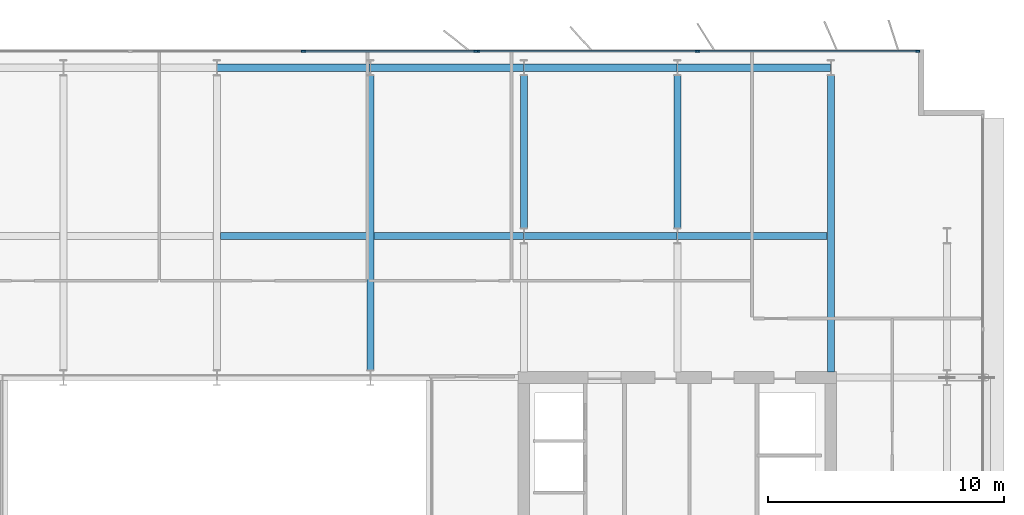
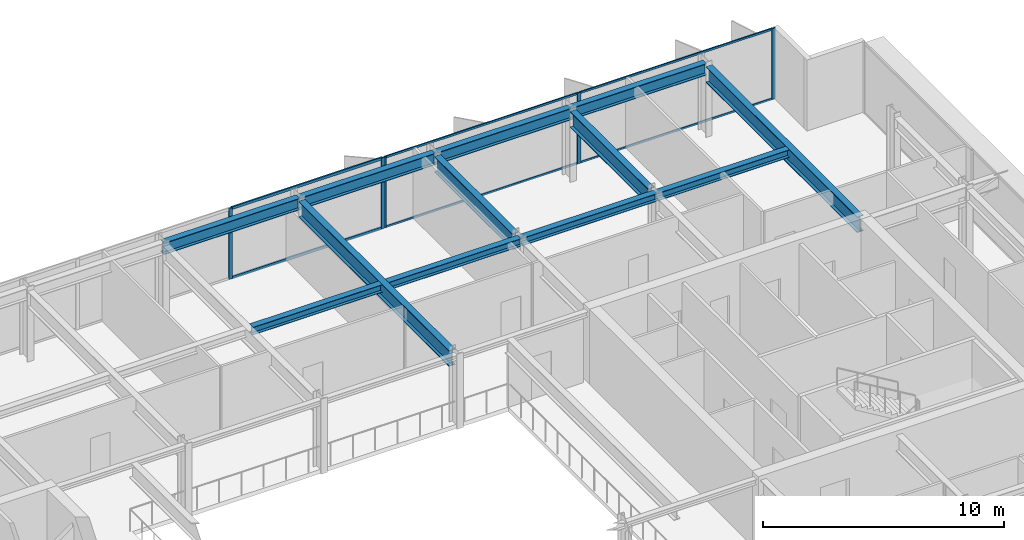
# One storey, part 9 of 20: 12 beams, 11 members, 2 elements without a shape of their own.
"""IFC4 building model written with IfcOpenShell, lengths in metres."""

from ifc_helpers import new_model, si_unit, direction, frame, origin, origin_2d, place, context, subcontext, project, spatial, rectangle, i_section, extrude, material, layer, layer_set, material_profile, profile_set, type_object, element, aggregate, save


model = new_model("IFC4")

# Units and contexts
model_context = context("Model", 3, precision=1e-05, world=origin(), true_north=direction((0.0, 1.0)))
body_context = subcontext(model_context, "Body", "Model", "MODEL_VIEW")
ifc_project = project(units=[si_unit("LENGTHUNIT", "METRE"), si_unit("AREAUNIT", "SQUARE_METRE"), si_unit("VOLUMEUNIT", "CUBIC_METRE"), si_unit("PLANEANGLEUNIT", "RADIAN"), si_unit("MASSUNIT", "GRAM", prefix="KILO")], contexts=[model_context])

# Site, building, storey
site_placement = place(None, origin())
site = spatial("IfcSite", under=ifc_project, at=site_placement, CompositionType="ELEMENT")
building_placement = place(site_placement, origin())
building = spatial("IfcBuilding", under=site, at=building_placement, Name="Putna Gate Headquarters", CompositionType="ELEMENT")
storey_placement = place(building_placement, frame((0.0, 0.0, 270.800048828125)))
storey = spatial("IfcBuildingStorey", under=building, at=storey_placement, Name="L68", CompositionType="ELEMENT", Elevation=270.800048828125)

# Beams
ifc_material_1 = material(Name="Steel S355J2", Category="steel")
ifc_material_profile_1 = material_profile(ifc_material_1, i_section(OverallWidth=0.300048828125, OverallDepth=0.800048828125, WebThickness=0.017578125, FlangeThickness=0.032958984375, at=origin_2d()), Name="Steel S355J2")
ifc_profile_set_1 = profile_set([ifc_material_profile_1], Name="Steel S355J2")
beam_type_1 = type_object("IfcBeamType", Name="BM-GIRD-P-HEB800", PredefinedType="USERDEFINED", material=ifc_profile_set_1)
beam_1_placement = place(storey_placement, frame((45.5, 33.322021484375, 3.18798828125), z_axis=(0.0, 1.0, 0.0), x_axis=(-1.0, 0.0, 0.0)))
element("IfcBeam", 1, at=beam_1_placement, inside=storey, type_object=beam_type_1, Name="L68 North Primary Girder X45", ObjectType="GIRDER", PredefinedType="USERDEFINED", context=body_context, shape_type="SweptSolid", body=[
    extrude(i_section(OverallWidth=0.300048828125, OverallDepth=0.800048828125, WebThickness=0.017578125, FlangeThickness=0.032958984375, at=origin_2d()), origin(), (0.0, 0.0, 1.0), 12.47607421875),
])
for number, where, z_axis, x_axis, name in (
    (2, (52.0, 39.322021484375, 3.18798828125), (0.0, 1.0, 0.0), (-1.0, 0.0, 0.0), "L68 North Primary Girder X52-2"),
    (3, (58.5, 39.322021484375, 3.18798828125), (0.0, 1.0, 0.0), (-1.0, 0.0, 0.0), "L68 North Primary Girder X58-2"),
):
    element("IfcBeam", number, at=place(storey_placement, frame(where, z_axis=z_axis, x_axis=x_axis)), inside=storey, type_object=beam_type_1, Name=name, ObjectType="GIRDER", PredefinedType="USERDEFINED", context=body_context, shape_type="SweptSolid", body=[
        extrude(i_section(OverallWidth=0.300048828125, OverallDepth=0.800048828125, WebThickness=0.017578125, FlangeThickness=0.032958984375, at=origin_2d()), origin(), (0.0, 0.0, 1.0), 6.47607421875),
    ])
beam_2_placement = place(storey_placement, frame((65.0, 33.235107421875, 3.18798828125), z_axis=(0.0, 1.0, 0.0), x_axis=(-1.0, 0.0, 0.0)))
element("IfcBeam", 4, at=beam_2_placement, inside=storey, type_object=beam_type_1, Name="L68 North Primary Girder X65", ObjectType="GIRDER", PredefinedType="USERDEFINED", context=body_context, shape_type="SweptSolid", body=[
    extrude(i_section(OverallWidth=0.300048828125, OverallDepth=0.800048828125, WebThickness=0.017578125, FlangeThickness=0.032958984375, at=origin_2d()), origin(), (0.0, 0.0, 1.0), 12.56298828125),
])
ifc_material_profile_2 = material_profile(ifc_material_1, i_section(OverallWidth=0.300048828125, OverallDepth=0.389892578125, WebThickness=0.010986328125, FlangeThickness=0.01904296875, at=origin_2d()), Name="Steel S355J2")
ifc_profile_set_2 = profile_set([ifc_material_profile_2], Name="Steel S355J2")
beam_type_2 = type_object("IfcBeamType", Name="BM-SEC-Z5-HEA400", PredefinedType="BEAM", material=ifc_profile_set_2)
beam_3_placement = place(storey_placement, frame((39.154052734375, 39.0, 3.39306640625), z_axis=(1.0, 0.0, 0.0), x_axis=(0.0, 1.0, 0.0)))
element("IfcBeam", 5, at=beam_3_placement, inside=storey, type_object=beam_type_2, Name="L68 North Secondary Beam 5", PredefinedType="BEAM", context=body_context, shape_type="SweptSolid", body=[
    extrude(i_section(OverallWidth=0.300048828125, OverallDepth=0.389892578125, WebThickness=0.010986328125, FlangeThickness=0.01904296875, at=origin_2d()), origin(), (0.0, 0.0, 1.0), 6.19189453125),
])
beam_4_placement = place(storey_placement, frame((45.654052734375, 39.0, 3.39306640625), z_axis=(1.0, 0.0, 0.0), x_axis=(0.0, 1.0, 0.0)))
element("IfcBeam", 6, at=beam_4_placement, inside=storey, type_object=beam_type_2, Name="L68 North Secondary Beam 6", PredefinedType="BEAM", context=body_context, shape_type="SweptSolid", body=[
    extrude(i_section(OverallWidth=0.300048828125, OverallDepth=0.389892578125, WebThickness=0.010986328125, FlangeThickness=0.01904296875, at=origin_2d()), origin(), (0.0, 0.0, 1.0), 6.33984375),
])
beam_5_placement = place(storey_placement, frame((52.006103515625, 39.0, 3.39306640625), z_axis=(1.0, 0.0, 0.0), x_axis=(0.0, 1.0, 0.0)))
element("IfcBeam", 7, at=beam_5_placement, inside=storey, type_object=beam_type_2, Name="L68 North Secondary Beam 7", PredefinedType="BEAM", context=body_context, shape_type="SweptSolid", body=[
    extrude(i_section(OverallWidth=0.300048828125, OverallDepth=0.389892578125, WebThickness=0.010986328125, FlangeThickness=0.01904296875, at=origin_2d()), origin(), (0.0, 0.0, 1.0), 6.48779296875),
])
beam_6_placement = place(storey_placement, frame((58.506103515625, 39.0, 3.39306640625), z_axis=(1.0, 0.0, 0.0), x_axis=(0.0, 1.0, 0.0)))
element("IfcBeam", 8, at=beam_6_placement, inside=storey, type_object=beam_type_2, Name="L68 North Secondary Beam 8", PredefinedType="BEAM", context=body_context, shape_type="SweptSolid", body=[
    extrude(i_section(OverallWidth=0.300048828125, OverallDepth=0.389892578125, WebThickness=0.010986328125, FlangeThickness=0.01904296875, at=origin_2d()), origin(), (0.0, 0.0, 1.0), 6.33984375),
])
ifc_material_profile_3 = material_profile(ifc_material_1, i_section(OverallWidth=0.300048828125, OverallDepth=0.590087890625, WebThickness=0.012939453125, FlangeThickness=0.02490234375, at=origin_2d()), Name="Steel S355J2")
ifc_profile_set_3 = profile_set([ifc_material_profile_3], Name="Steel S355J2")
beam_type_3 = type_object("IfcBeamType", Name="BM-SPAN-Z4-HEA600", PredefinedType="SPANDREL", material=ifc_profile_set_3)
for number, where, z_axis, x_axis, name in (
    (9, (39.006103515625, 46.1201171875, 3.29296875), (1.0, 0.0, 0.0), (0.0, 1.0, 0.0), "L68 N Perimeter Spandrel 5"),
    (10, (45.506103515625, 46.1201171875, 3.29296875), (1.0, 0.0, 0.0), (0.0, 1.0, 0.0), "L68 N Perimeter Spandrel 6"),
    (11, (52.006103515625, 46.1201171875, 3.29296875), (1.0, 0.0, 0.0), (0.0, 1.0, 0.0), "L68 N Perimeter Spandrel 7"),
    (12, (58.506103515625, 46.1201171875, 3.29296875), (1.0, 0.0, 0.0), (0.0, 1.0, 0.0), "L68 N Perimeter Spandrel 8"),
):
    element("IfcBeam", number, at=place(storey_placement, frame(where, z_axis=z_axis, x_axis=x_axis)), inside=storey, type_object=beam_type_3, Name=name, PredefinedType="SPANDREL", context=body_context, shape_type="SweptSolid", body=[
        extrude(i_section(OverallWidth=0.300048828125, OverallDepth=0.590087890625, WebThickness=0.012939453125, FlangeThickness=0.02490234375, at=origin_2d()), origin(), (0.0, 0.0, 1.0), 6.48779296875),
    ])

# Curtain wall, members
ifc_material_2 = material(Name="Anodised bronze aluminium curtain wall", Category="aluminium")
ifc_layer_1 = layer(ifc_material_2, 0.179931640625)
ifc_layer_set_1 = layer_set([ifc_layer_1], Name="Anodised bronze aluminium curtain wall")
curtain_wall_type_1 = type_object("IfcCurtainWallType", Name="CW-SYS-Z5", PredefinedType="USERDEFINED", material=ifc_layer_set_1)
curtain_wall_1_placement = place(storey_placement, origin())
curtain_wall_1 = element("IfcCurtainWall", 13, at=curtain_wall_1_placement, inside=storey, type_object=curtain_wall_type_1, Name="L68 North East Curtain Wall", ObjectType="STICK CURTAIN WALL", PredefinedType="USERDEFINED")
ifc_material_3 = material(Name="Anodised bronze aluminium EN AW-6060", Category="aluminium")
ifc_material_profile_4 = material_profile(ifc_material_3, rectangle(XDim=0.070068359375, YDim=0.179931640625, at=origin_2d()), Name="Anodised bronze aluminium EN AW-6060")
ifc_profile_set_4 = profile_set([ifc_material_profile_4], Name="Anodised bronze aluminium EN AW-6060")
member_type_1 = type_object("IfcMemberType", Name="MULL-CWM-5", PredefinedType="MULLION", material=ifc_profile_set_4)
member_1_placement = place(storey_placement, frame((50.034912109375, 46.820068359375, 0.0), z_axis=(0.0, 0.0, 1.0), x_axis=(0.0, 1.0, 0.0)))
member_1 = element("IfcMember", 14, at=member_1_placement, type_object=member_type_1, Name="CWS-5 mullion 1", PredefinedType="MULLION", context=body_context, shape_type="SweptSolid", body=[
    extrude(rectangle(XDim=0.070068359375, YDim=0.179931640625, at=origin_2d()), origin(), (0.0, 0.0, 1.0), 3.587890625),
])
member_2_placement = place(storey_placement, frame((59.3564453125, 46.820068359375, 0.0), z_axis=(0.0, 0.0, 1.0), x_axis=(0.0, 1.0, 0.0)))
member_2 = element("IfcMember", 15, at=member_2_placement, type_object=member_type_1, Name="CWS-5 mullion 2", PredefinedType="MULLION", context=body_context, shape_type="SweptSolid", body=[
    extrude(rectangle(XDim=0.070068359375, YDim=0.179931640625, at=origin_2d()), origin(), (0.0, 0.0, 1.0), 3.587890625),
])
member_3_placement = place(storey_placement, frame((68.677734375, 46.820068359375, 0.0), z_axis=(0.0, 0.0, 1.0), x_axis=(0.0, 1.0, 0.0)))
member_3 = element("IfcMember", 16, at=member_3_placement, type_object=member_type_1, Name="CWS-5 mullion 3", PredefinedType="MULLION", context=body_context, shape_type="SweptSolid", body=[
    extrude(rectangle(XDim=0.070068359375, YDim=0.179931640625, at=origin_2d()), origin(), (0.0, 0.0, 1.0), 3.587890625),
])

ifc_layer_2 = layer(ifc_material_2, 0.179931640625)
ifc_layer_set_2 = layer_set([ifc_layer_2], Name="Anodised bronze aluminium curtain wall")
curtain_wall_type_2 = type_object("IfcCurtainWallType", Name="CW-SYS-ATR", PredefinedType="USERDEFINED", material=ifc_layer_set_2)
curtain_wall_2_placement = place(storey_placement, origin())
curtain_wall_2 = element("IfcCurtainWall", 17, at=curtain_wall_2_placement, inside=storey, type_object=curtain_wall_type_2, Name="L68 North Atrium Clear Glazing", ObjectType="ATRIUM GLAZING", PredefinedType="USERDEFINED")
ifc_material_profile_5 = material_profile(ifc_material_3, rectangle(XDim=0.070068359375, YDim=0.179931640625, at=origin_2d()), Name="Anodised bronze aluminium EN AW-6060")
ifc_profile_set_5 = profile_set([ifc_material_profile_5], Name="Anodised bronze aluminium EN AW-6060")
member_type_2 = type_object("IfcMemberType", Name="MULL-CWM-AT", PredefinedType="MULLION", material=ifc_profile_set_5)
member_4_placement = place(storey_placement, frame((42.666748046875, 46.820068359375, 0.0), z_axis=(0.0, 0.0, 1.0), x_axis=(0.0, 1.0, 0.0)))
member_4 = element("IfcMember", 18, at=member_4_placement, type_object=member_type_2, Name="CWS-AT mullion 3", PredefinedType="MULLION", context=body_context, shape_type="SweptSolid", body=[
    extrude(rectangle(XDim=0.070068359375, YDim=0.179931640625, at=origin_2d()), origin(), (0.0, 0.0, 1.0), 3.587890625),
])
member_5_placement = place(storey_placement, frame((49.965087890625, 46.820068359375, 0.0), z_axis=(0.0, 0.0, 1.0), x_axis=(0.0, 1.0, 0.0)))
member_5 = element("IfcMember", 19, at=member_5_placement, type_object=member_type_2, Name="CWS-AT mullion 4", PredefinedType="MULLION", context=body_context, shape_type="SweptSolid", body=[
    extrude(rectangle(XDim=0.070068359375, YDim=0.179931640625, at=origin_2d()), origin(), (0.0, 0.0, 1.0), 3.587890625),
])

# Member
ifc_material_profile_6 = material_profile(ifc_material_3, rectangle(XDim=0.06005859375, YDim=0.10009765625, at=origin_2d()), Name="Anodised bronze aluminium EN AW-6060")
ifc_profile_set_6 = profile_set([ifc_material_profile_6], Name="Anodised bronze aluminium EN AW-6060")
member_type_3 = type_object("IfcMemberType", Name="TRAN-CWT-5", PredefinedType="USERDEFINED", material=ifc_profile_set_6)
member_6_placement = place(storey_placement, frame((50.070068359375, 46.820068359375, 0.030029296875), z_axis=(1.0, 0.0, 0.0), x_axis=(0.0, 1.0, 0.0)))
member_6 = element("IfcMember", 20, at=member_6_placement, type_object=member_type_3, Name="CWS-5 transom 1.1", ObjectType="TRANSOM", PredefinedType="USERDEFINED", context=body_context, shape_type="SweptSolid", body=[
    extrude(rectangle(XDim=0.06005859375, YDim=0.10009765625, at=origin_2d()), origin(), (0.0, 0.0, 1.0), 9.251220703125),
])

member_7_placement = place(storey_placement, frame((50.070068359375, 46.820068359375, 3.557861328125), z_axis=(1.0, 0.0, 0.0), x_axis=(0.0, 1.0, 0.0)))
member_7 = element("IfcMember", 21, at=member_7_placement, type_object=member_type_3, Name="CWS-5 transom 1.2", ObjectType="TRANSOM", PredefinedType="USERDEFINED", context=body_context, shape_type="SweptSolid", body=[
    extrude(rectangle(XDim=0.06005859375, YDim=0.10009765625, at=origin_2d()), origin(), (0.0, 0.0, 1.0), 9.251220703125),
])

member_8_placement = place(storey_placement, frame((59.391357421875, 46.820068359375, 0.030029296875), z_axis=(1.0, 0.0, 0.0), x_axis=(0.0, 1.0, 0.0)))
member_8 = element("IfcMember", 22, at=member_8_placement, type_object=member_type_3, Name="CWS-5 transom 2.1", ObjectType="TRANSOM", PredefinedType="USERDEFINED", context=body_context, shape_type="SweptSolid", body=[
    extrude(rectangle(XDim=0.06005859375, YDim=0.10009765625, at=origin_2d()), origin(), (0.0, 0.0, 1.0), 9.251220703125),
])

member_9_placement = place(storey_placement, frame((59.391357421875, 46.820068359375, 3.557861328125), z_axis=(1.0, 0.0, 0.0), x_axis=(0.0, 1.0, 0.0)))
member_9 = element("IfcMember", 23, at=member_9_placement, type_object=member_type_3, Name="CWS-5 transom 2.2", ObjectType="TRANSOM", PredefinedType="USERDEFINED", context=body_context, shape_type="SweptSolid", body=[
    extrude(rectangle(XDim=0.06005859375, YDim=0.10009765625, at=origin_2d()), origin(), (0.0, 0.0, 1.0), 9.251220703125),
])

aggregate(curtain_wall_1, [member_1, member_2, member_3, member_6, member_7, member_8, member_9])

ifc_material_profile_7 = material_profile(ifc_material_3, rectangle(XDim=0.070068359375, YDim=0.139892578125, at=origin_2d()), Name="Anodised bronze aluminium EN AW-6060")
ifc_profile_set_7 = profile_set([ifc_material_profile_7], Name="Anodised bronze aluminium EN AW-6060")
member_type_4 = type_object("IfcMemberType", Name="TRAN-CWT-AT", PredefinedType="USERDEFINED", material=ifc_profile_set_7)
member_10_placement = place(storey_placement, frame((42.70166015625, 46.820068359375, 0.034912109375), z_axis=(1.0, 0.0, 0.0), x_axis=(0.0, 1.0, 0.0)))
member_10 = element("IfcMember", 24, at=member_10_placement, type_object=member_type_4, Name="CWS-AT transom 3.1", ObjectType="TRANSOM", PredefinedType="USERDEFINED", context=body_context, shape_type="SweptSolid", body=[
    extrude(rectangle(XDim=0.070068359375, YDim=0.139892578125, at=origin_2d()), origin(), (0.0, 0.0, 1.0), 7.228271484375),
])

member_11_placement = place(storey_placement, frame((42.70166015625, 46.820068359375, 3.552978515625), z_axis=(1.0, 0.0, 0.0), x_axis=(0.0, 1.0, 0.0)))
member_11 = element("IfcMember", 25, at=member_11_placement, type_object=member_type_4, Name="CWS-AT transom 3.2", ObjectType="TRANSOM", PredefinedType="USERDEFINED", context=body_context, shape_type="SweptSolid", body=[
    extrude(rectangle(XDim=0.070068359375, YDim=0.139892578125, at=origin_2d()), origin(), (0.0, 0.0, 1.0), 7.228271484375),
])

aggregate(curtain_wall_2, [member_4, member_5, member_10, member_11])

save(model, "model.ifc")
